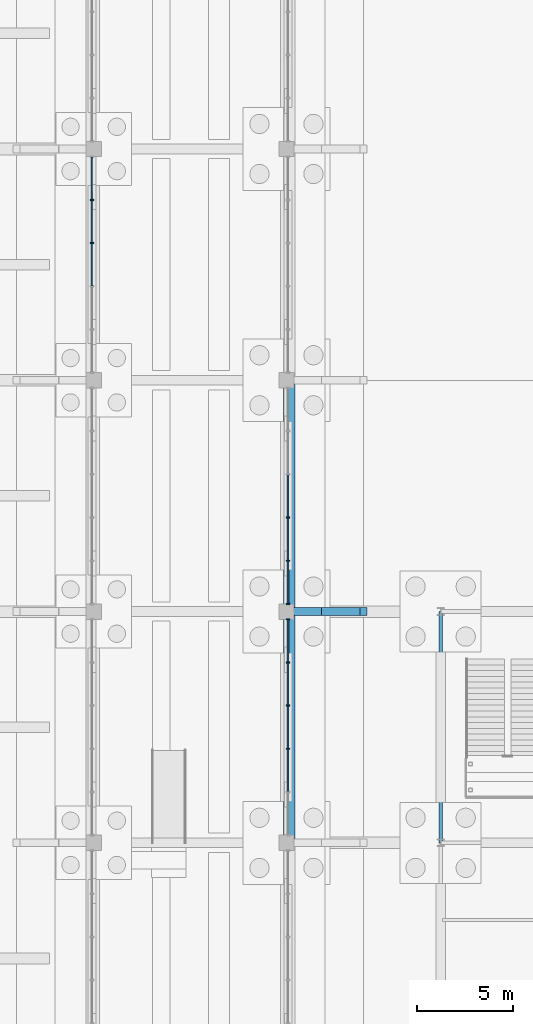
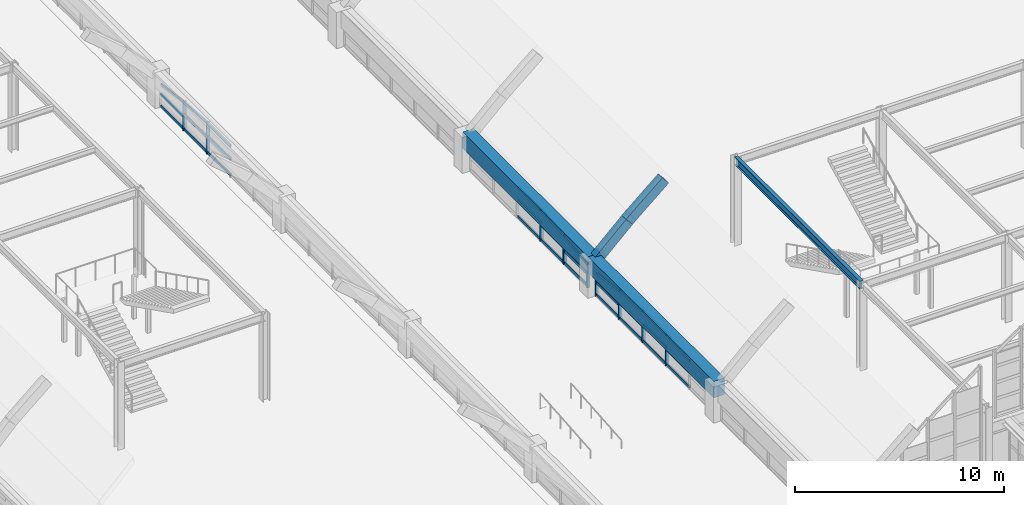
# One storey, part 44 of 129: 39 members, 5 beams, 3 elements without a shape of their own.
"""IFC4 building model written with IfcOpenShell, lengths in metres."""

from ifc_helpers import new_model, si_unit, direction, frame, origin, origin_2d, place, context, subcontext, project, spatial, rectangle, i_section, extrude, material, layer, layer_set, material_profile, profile_set, type_object, element, aggregate, save


model = new_model("IFC4")

# Units and contexts
model_context = context("Model", 3, precision=1e-05, world=origin(), true_north=direction((0.0, 1.0)))
body_context = subcontext(model_context, "Body", "Model", "MODEL_VIEW")
ifc_project = project(units=[si_unit("LENGTHUNIT", "METRE"), si_unit("AREAUNIT", "SQUARE_METRE"), si_unit("VOLUMEUNIT", "CUBIC_METRE"), si_unit("PLANEANGLEUNIT", "RADIAN"), si_unit("MASSUNIT", "GRAM", prefix="KILO")], contexts=[model_context])

# Site, building, storey
site_placement = place(None, origin())
site = spatial("IfcSite", under=ifc_project, at=site_placement, CompositionType="ELEMENT")
building_placement = place(site_placement, origin())
building = spatial("IfcBuilding", under=site, at=building_placement, Name="Sitalva Quay Ferry Terminal", CompositionType="ELEMENT")
storey_placement = place(building_placement, origin())
storey = spatial("IfcBuildingStorey", under=building, at=storey_placement, Name="L01", CompositionType="ELEMENT", Elevation=0.0)

# Beams
ifc_material_1 = material(Name="Concrete C40/50", Category="concrete")
ifc_material_profile_1 = material_profile(ifc_material_1, rectangle(XDim=0.39990234375, YDim=0.550048828125, at=origin_2d()), Name="RC400x550")
ifc_profile_set_1 = profile_set([ifc_material_profile_1], Name="Concrete C40/50")
beam_type_1 = type_object("IfcBeamType", Name="Beam_Arch_RC400x550", PredefinedType="BEAM", material=ifc_profile_set_1)
beam_1_placement = place(storey_placement, frame((42.0, 30.0, 1.6044921875), z_axis=(0.725680279623, 0.0, 0.688032071757), x_axis=(0.0, 1.0, 0.0)))
element("IfcBeam", 1, at=beam_1_placement, inside=storey, type_object=beam_type_1, Name="Vault V1 transverse arch rib 3.1", PredefinedType="BEAM", context=body_context, shape_type="SweptSolid", body=[
    extrude(rectangle(XDim=0.39990234375, YDim=0.550048828125, at=origin_2d()), origin(), (0.0, 0.0, 1.0), 2.756103515625),
])
beam_2_placement = place(storey_placement, frame((44.0, 30.0, 3.5107421875), z_axis=(0.760297282494, 0.0, 0.649575278342), x_axis=(0.0, 1.0, 0.0)))
element("IfcBeam", 2, at=beam_2_placement, inside=storey, type_object=beam_type_1, Name="Vault V1 transverse arch rib 3.2", PredefinedType="BEAM", context=body_context, shape_type="SweptSolid", body=[
    extrude(rectangle(XDim=0.39990234375, YDim=0.550048828125, at=origin_2d()), origin(), (0.0, 0.0, 1.0), 2.630615234375),
])
ifc_material_2 = material(Name="Concrete C40/50", Category="concrete")
ifc_material_profile_2 = material_profile(ifc_material_2, rectangle(XDim=0.60009765625, YDim=0.949951171875, at=origin_2d()), Name="RC600x950")
ifc_profile_set_2 = profile_set([ifc_material_profile_2], Name="Concrete C40/50")
beam_type_2 = type_object("IfcBeamType", Name="Beam_Edge_RC600x950", PredefinedType="BEAM", material=ifc_profile_set_2)
for number, where, z_axis, x_axis, name in (
    (3, (42.14990234375, 18.0, 1.625), (0.0, 1.0, 0.0), (-1.0, 0.0, 0.0), "Vault V1 longitudinal springing edge beam W bay 2"),
    (4, (42.14990234375, 30.0, 1.625), (0.0, 1.0, 0.0), (-1.0, 0.0, 0.0), "Vault V1 longitudinal springing edge beam W bay 3"),
):
    element("IfcBeam", number, at=place(storey_placement, frame(where, z_axis=z_axis, x_axis=x_axis)), inside=storey, type_object=beam_type_2, Name=name, PredefinedType="BEAM", context=body_context, shape_type="SweptSolid", body=[
        extrude(rectangle(XDim=0.60009765625, YDim=0.949951171875, at=origin_2d()), origin(), (0.0, 0.0, 1.0), 12.0),
    ])
ifc_material_3 = material(Name="Structural Steel S355JR", Category="steel")
ifc_material_profile_3 = material_profile(ifc_material_3, i_section(OverallWidth=0.194091796875, OverallDepth=0.468994140625, WebThickness=0.0126953125, FlangeThickness=0.0205078125, FilletRadius=0.013916015625, at=origin_2d()), Name="W460x106")
ifc_profile_set_3 = profile_set([ifc_material_profile_3], Name="Structural Steel S355JR")
beam_type_3 = type_object("IfcBeamType", Name="Girder_W460x106", PredefinedType="USERDEFINED", material=ifc_profile_set_3)
beam_3_placement = place(storey_placement, frame((50.0, 18.0, 4.885498046875), z_axis=(0.0, 1.0, 0.0), x_axis=(-1.0, 0.0, 0.0)))
element("IfcBeam", 5, at=beam_3_placement, inside=storey, type_object=beam_type_3, Name="L01 Primary Y girder 0135", ObjectType="GIRDER", PredefinedType="USERDEFINED", context=body_context, shape_type="SweptSolid", body=[
    extrude(i_section(OverallWidth=0.194091796875, OverallDepth=0.468994140625, WebThickness=0.0126953125, FlangeThickness=0.0205078125, FilletRadius=0.013916015625, at=origin_2d()), origin(), (0.0, 0.0, 1.0), 12.0),
])

# Curtain wall, members
ifc_material_4 = material(Name="Anodised Aluminium & Low-E Glazing", Category="aluminium")
ifc_layer = layer(ifc_material_4, 0.159912109375)
ifc_layer_set = layer_set([ifc_layer], Name="Anodised Aluminium & Low-E Glazing")
curtain_wall_type = type_object("IfcCurtainWallType", Name="CW_VaultArch_Glazed", PredefinedType="USERDEFINED", material=ifc_layer_set)
curtain_wall_1_placement = place(storey_placement, origin())
curtain_wall_1 = element("IfcCurtainWall", 6, at=curtain_wall_1_placement, inside=storey, type_object=curtain_wall_type, Name="V1-W shallow-arch base glazing (CW-L01-017)", ObjectType="CURTAIN_WALL", PredefinedType="USERDEFINED")
ifc_material_5 = material(Name="Anodised Aluminium 6063-T6", Category="aluminium")
ifc_material_profile_4 = material_profile(ifc_material_5, rectangle(XDim=0.070068359375, YDim=0.181884765625, at=origin_2d()), Name="ALU70x182")
ifc_profile_set_4 = profile_set([ifc_material_profile_4], Name="Anodised Aluminium 6063-T6")
member_type_1 = type_object("IfcMemberType", Name="Mullion_Alu_65x170", PredefinedType="MULLION", material=ifc_profile_set_4)
member_1_placement = place(storey_placement, frame((42.080078125, 22.8798828125, 0.0), z_axis=(0.0, 0.0, 1.0), x_axis=(0.0, 1.0, 0.0)))
member_1 = element("IfcMember", 7, at=member_1_placement, type_object=member_type_1, Name="CW-L01-017-M2", PredefinedType="MULLION", context=body_context, shape_type="SweptSolid", body=[
    extrude(rectangle(XDim=0.070068359375, YDim=0.181884765625, at=origin_2d()), origin(), (0.0, 0.0, 1.0), 1.86083984375),
])
member_2_placement = place(storey_placement, frame((42.080078125, 25.1201171875, 0.0), z_axis=(0.0, 0.0, 1.0), x_axis=(0.0, 1.0, 0.0)))
member_2 = element("IfcMember", 8, at=member_2_placement, type_object=member_type_1, Name="CW-L01-017-M3", PredefinedType="MULLION", context=body_context, shape_type="SweptSolid", body=[
    extrude(rectangle(XDim=0.070068359375, YDim=0.181884765625, at=origin_2d()), origin(), (0.0, 0.0, 1.0), 1.86083984375),
])
member_3_placement = place(storey_placement, frame((42.080078125, 27.360107421875, 0.0), z_axis=(0.0, 0.0, 1.0), x_axis=(0.0, 1.0, 0.0)))
member_3 = element("IfcMember", 9, at=member_3_placement, type_object=member_type_1, Name="CW-L01-017-M4", PredefinedType="MULLION", context=body_context, shape_type="SweptSolid", body=[
    extrude(rectangle(XDim=0.070068359375, YDim=0.181884765625, at=origin_2d()), origin(), (0.0, 0.0, 1.0), 1.707275390625),
])
member_4_placement = place(storey_placement, frame((42.080078125, 29.60009765625, 0.0), z_axis=(0.0, 0.0, 1.0), x_axis=(0.0, 1.0, 0.0)))
member_4 = element("IfcMember", 10, at=member_4_placement, type_object=member_type_1, Name="CW-L01-017-M5", PredefinedType="MULLION", context=body_context, shape_type="SweptSolid", body=[
    extrude(rectangle(XDim=0.070068359375, YDim=0.181884765625, at=origin_2d()), origin(), (0.0, 0.0, 1.0), 1.39990234375),
])

curtain_wall_2_placement = place(storey_placement, origin())
curtain_wall_2 = element("IfcCurtainWall", 11, at=curtain_wall_2_placement, inside=storey, type_object=curtain_wall_type, Name="V1-W shallow-arch base glazing (CW-L01-020)", ObjectType="CURTAIN_WALL", PredefinedType="USERDEFINED")
member_5_placement = place(storey_placement, frame((42.080078125, 30.39990234375, 0.0), z_axis=(0.0, 0.0, 1.0), x_axis=(0.0, 1.0, 0.0)))
member_5 = element("IfcMember", 12, at=member_5_placement, type_object=member_type_1, Name="CW-L01-020-M0", PredefinedType="MULLION", context=body_context, shape_type="SweptSolid", body=[
    extrude(rectangle(XDim=0.070068359375, YDim=0.181884765625, at=origin_2d()), origin(), (0.0, 0.0, 1.0), 1.39990234375),
])
member_6_placement = place(storey_placement, frame((42.080078125, 32.639892578125, 0.0), z_axis=(0.0, 0.0, 1.0), x_axis=(0.0, 1.0, 0.0)))
member_6 = element("IfcMember", 13, at=member_6_placement, type_object=member_type_1, Name="CW-L01-020-M1", PredefinedType="MULLION", context=body_context, shape_type="SweptSolid", body=[
    extrude(rectangle(XDim=0.070068359375, YDim=0.181884765625, at=origin_2d()), origin(), (0.0, 0.0, 1.0), 1.707275390625),
])
member_7_placement = place(storey_placement, frame((42.080078125, 34.8798828125, 0.0), z_axis=(0.0, 0.0, 1.0), x_axis=(0.0, 1.0, 0.0)))
member_7 = element("IfcMember", 14, at=member_7_placement, type_object=member_type_1, Name="CW-L01-020-M2", PredefinedType="MULLION", context=body_context, shape_type="SweptSolid", body=[
    extrude(rectangle(XDim=0.070068359375, YDim=0.181884765625, at=origin_2d()), origin(), (0.0, 0.0, 1.0), 1.86083984375),
])

curtain_wall_3_placement = place(storey_placement, origin())
curtain_wall_3 = element("IfcCurtainWall", 15, at=curtain_wall_3_placement, inside=storey, type_object=curtain_wall_type, Name="V2-E shallow-arch base glazing (CW-L01-022)", ObjectType="CURTAIN_WALL", PredefinedType="USERDEFINED")
member_8_placement = place(storey_placement, frame((31.919921875, 49.1201171875, 0.0), z_axis=(0.0, 0.0, 1.0), x_axis=(0.0, 1.0, 0.0)))
member_8 = element("IfcMember", 16, at=member_8_placement, type_object=member_type_1, Name="CW-L01-022-M3", PredefinedType="MULLION", context=body_context, shape_type="SweptSolid", body=[
    extrude(rectangle(XDim=0.070068359375, YDim=0.181884765625, at=origin_2d()), origin(), (0.0, 0.0, 1.0), 1.86083984375),
])
member_9_placement = place(storey_placement, frame((31.919921875, 51.360107421875, 0.0), z_axis=(0.0, 0.0, 1.0), x_axis=(0.0, 1.0, 0.0)))
member_9 = element("IfcMember", 17, at=member_9_placement, type_object=member_type_1, Name="CW-L01-022-M4", PredefinedType="MULLION", context=body_context, shape_type="SweptSolid", body=[
    extrude(rectangle(XDim=0.070068359375, YDim=0.181884765625, at=origin_2d()), origin(), (0.0, 0.0, 1.0), 1.707275390625),
])

# Member
ifc_material_6 = material(Name="Anodised Aluminium 6063-T6", Category="aluminium")
ifc_material_profile_5 = material_profile(ifc_material_6, rectangle(XDim=0.074951171875, YDim=0.155029296875, at=origin_2d()), Name="ALU75x155")
ifc_profile_set_5 = profile_set([ifc_material_profile_5], Name="Anodised Aluminium 6063-T6")
member_type_2 = type_object("IfcMemberType", Name="Transom_Alu_70x135", PredefinedType="MULLION", material=ifc_profile_set_5)
member_10_placement = place(storey_placement, frame((42.080078125, 20.675048828125, 0.077392578125), z_axis=(0.0, 1.0, 0.0), x_axis=(-1.0, 0.0, 0.0)))
member_10 = element("IfcMember", 18, at=member_10_placement, type_object=member_type_2, Name="CW-L01-017-T1-0", ObjectType="TRANSOM", PredefinedType="USERDEFINED", context=body_context, shape_type="SweptSolid", body=[
    extrude(rectangle(XDim=0.074951171875, YDim=0.155029296875, at=origin_2d()), origin(), (0.0, 0.0, 1.0), 2.169921875),
])

member_11_placement = place(storey_placement, frame((42.080078125, 20.675048828125, 0.93115234375), z_axis=(0.0, 1.0, 0.0), x_axis=(-1.0, 0.0, 0.0)))
member_11 = element("IfcMember", 19, at=member_11_placement, type_object=member_type_2, Name="CW-L01-017-T1-1", ObjectType="TRANSOM", PredefinedType="USERDEFINED", context=body_context, shape_type="SweptSolid", body=[
    extrude(rectangle(XDim=0.074951171875, YDim=0.155029296875, at=origin_2d()), origin(), (0.0, 0.0, 1.0), 2.169921875),
])

member_12_placement = place(storey_placement, frame((42.080078125, 20.675048828125, 1.629638671875), z_axis=(0.0, 0.997505200677, 0.070593021065), x_axis=(-1.0, 0.0, 0.0)))
member_12 = element("IfcMember", 20, at=member_12_placement, type_object=member_type_2, Name="CW-L01-017-T1-2", ObjectType="TRANSOM", PredefinedType="USERDEFINED", context=body_context, shape_type="SweptSolid", body=[
    extrude(rectangle(XDim=0.074951171875, YDim=0.155029296875, at=origin_2d()), origin(), (0.0, 0.0, 1.0), 2.17529296875),
])

member_13_placement = place(storey_placement, frame((42.080078125, 22.9150390625, 0.077392578125), z_axis=(0.0, 1.0, 0.0), x_axis=(-1.0, 0.0, 0.0)))
member_13 = element("IfcMember", 21, at=member_13_placement, type_object=member_type_2, Name="CW-L01-017-T2-0", ObjectType="TRANSOM", PredefinedType="USERDEFINED", context=body_context, shape_type="SweptSolid", body=[
    extrude(rectangle(XDim=0.074951171875, YDim=0.155029296875, at=origin_2d()), origin(), (0.0, 0.0, 1.0), 2.169921875),
])

member_14_placement = place(storey_placement, frame((42.080078125, 22.9150390625, 1.0078125), z_axis=(0.0, 1.0, 0.0), x_axis=(-1.0, 0.0, 0.0)))
member_14 = element("IfcMember", 22, at=member_14_placement, type_object=member_type_2, Name="CW-L01-017-T2-1", ObjectType="TRANSOM", PredefinedType="USERDEFINED", context=body_context, shape_type="SweptSolid", body=[
    extrude(rectangle(XDim=0.074951171875, YDim=0.155029296875, at=origin_2d()), origin(), (0.0, 0.0, 1.0), 2.169921875),
])

member_15_placement = place(storey_placement, frame((42.080078125, 22.9150390625, 1.783203125), z_axis=(0.0, 1.0, 0.0), x_axis=(-1.0, 0.0, 0.0)))
member_15 = element("IfcMember", 23, at=member_15_placement, type_object=member_type_2, Name="CW-L01-017-T2-2", ObjectType="TRANSOM", PredefinedType="USERDEFINED", context=body_context, shape_type="SweptSolid", body=[
    extrude(rectangle(XDim=0.074951171875, YDim=0.155029296875, at=origin_2d()), origin(), (0.0, 0.0, 1.0), 2.169921875),
])

member_16_placement = place(storey_placement, frame((42.080078125, 25.155029296875, 0.077392578125), z_axis=(0.0, 1.0, 0.0), x_axis=(-1.0, 0.0, 0.0)))
member_16 = element("IfcMember", 24, at=member_16_placement, type_object=member_type_2, Name="CW-L01-017-T3-0", ObjectType="TRANSOM", PredefinedType="USERDEFINED", context=body_context, shape_type="SweptSolid", body=[
    extrude(rectangle(XDim=0.074951171875, YDim=0.155029296875, at=origin_2d()), origin(), (0.0, 0.0, 1.0), 2.169921875),
])

member_17_placement = place(storey_placement, frame((42.080078125, 25.155029296875, 0.93115234375), z_axis=(0.0, 1.0, 0.0), x_axis=(-1.0, 0.0, 0.0)))
member_17 = element("IfcMember", 25, at=member_17_placement, type_object=member_type_2, Name="CW-L01-017-T3-1", ObjectType="TRANSOM", PredefinedType="USERDEFINED", context=body_context, shape_type="SweptSolid", body=[
    extrude(rectangle(XDim=0.074951171875, YDim=0.155029296875, at=origin_2d()), origin(), (0.0, 0.0, 1.0), 2.169921875),
])

member_18_placement = place(storey_placement, frame((42.080078125, 25.155029296875, 1.783203125), z_axis=(0.0, 0.997505200677, -0.070593021065), x_axis=(-1.0, 0.0, 0.0)))
member_18 = element("IfcMember", 26, at=member_18_placement, type_object=member_type_2, Name="CW-L01-017-T3-2", ObjectType="TRANSOM", PredefinedType="USERDEFINED", context=body_context, shape_type="SweptSolid", body=[
    extrude(rectangle(XDim=0.074951171875, YDim=0.155029296875, at=origin_2d()), origin(), (0.0, 0.0, 1.0), 2.17529296875),
])

member_19_placement = place(storey_placement, frame((42.080078125, 27.39501953125, 0.077392578125), z_axis=(0.0, 1.0, 0.0), x_axis=(-1.0, 0.0, 0.0)))
member_19 = element("IfcMember", 27, at=member_19_placement, type_object=member_type_2, Name="CW-L01-017-T4-0", ObjectType="TRANSOM", PredefinedType="USERDEFINED", context=body_context, shape_type="SweptSolid", body=[
    extrude(rectangle(XDim=0.074951171875, YDim=0.155029296875, at=origin_2d()), origin(), (0.0, 0.0, 1.0), 2.169921875),
])

member_20_placement = place(storey_placement, frame((42.080078125, 27.39501953125, 0.777587890625), z_axis=(0.0, 1.0, 0.0), x_axis=(-1.0, 0.0, 0.0)))
member_20 = element("IfcMember", 28, at=member_20_placement, type_object=member_type_2, Name="CW-L01-017-T4-1", ObjectType="TRANSOM", PredefinedType="USERDEFINED", context=body_context, shape_type="SweptSolid", body=[
    extrude(rectangle(XDim=0.074951171875, YDim=0.155029296875, at=origin_2d()), origin(), (0.0, 0.0, 1.0), 2.169921875),
])

member_21_placement = place(storey_placement, frame((42.080078125, 27.39501953125, 1.629638671875), z_axis=(0.0, 0.990131365095, -0.140142355681), x_axis=(-1.0, 0.0, 0.0)))
member_21 = element("IfcMember", 29, at=member_21_placement, type_object=member_type_2, Name="CW-L01-017-T4-2", ObjectType="TRANSOM", PredefinedType="USERDEFINED", context=body_context, shape_type="SweptSolid", body=[
    extrude(rectangle(XDim=0.074951171875, YDim=0.155029296875, at=origin_2d()), origin(), (0.0, 0.0, 1.0), 2.191650390625),
])

aggregate(curtain_wall_1, [member_1, member_2, member_3, member_4, member_10, member_11, member_12, member_13, member_14, member_15, member_16, member_17, member_18, member_19, member_20, member_21])

member_22_placement = place(storey_placement, frame((42.080078125, 30.43505859375, 0.077392578125), z_axis=(0.0, 1.0, 0.0), x_axis=(-1.0, 0.0, 0.0)))
member_22 = element("IfcMember", 30, at=member_22_placement, type_object=member_type_2, Name="CW-L01-020-T0-0", ObjectType="TRANSOM", PredefinedType="USERDEFINED", context=body_context, shape_type="SweptSolid", body=[
    extrude(rectangle(XDim=0.074951171875, YDim=0.155029296875, at=origin_2d()), origin(), (0.0, 0.0, 1.0), 2.169921875),
])

member_23_placement = place(storey_placement, frame((42.080078125, 30.43505859375, 0.777587890625), z_axis=(0.0, 1.0, 0.0), x_axis=(-1.0, 0.0, 0.0)))
member_23 = element("IfcMember", 31, at=member_23_placement, type_object=member_type_2, Name="CW-L01-020-T0-1", ObjectType="TRANSOM", PredefinedType="USERDEFINED", context=body_context, shape_type="SweptSolid", body=[
    extrude(rectangle(XDim=0.074951171875, YDim=0.155029296875, at=origin_2d()), origin(), (0.0, 0.0, 1.0), 2.169921875),
])

member_24_placement = place(storey_placement, frame((42.080078125, 30.43505859375, 1.322509765625), z_axis=(0.0, 0.990131365095, 0.140142355681), x_axis=(-1.0, 0.0, 0.0)))
member_24 = element("IfcMember", 32, at=member_24_placement, type_object=member_type_2, Name="CW-L01-020-T0-2", ObjectType="TRANSOM", PredefinedType="USERDEFINED", context=body_context, shape_type="SweptSolid", body=[
    extrude(rectangle(XDim=0.074951171875, YDim=0.155029296875, at=origin_2d()), origin(), (0.0, 0.0, 1.0), 2.191650390625),
])

member_25_placement = place(storey_placement, frame((42.080078125, 32.675048828125, 0.077392578125), z_axis=(0.0, 1.0, 0.0), x_axis=(-1.0, 0.0, 0.0)))
member_25 = element("IfcMember", 33, at=member_25_placement, type_object=member_type_2, Name="CW-L01-020-T1-0", ObjectType="TRANSOM", PredefinedType="USERDEFINED", context=body_context, shape_type="SweptSolid", body=[
    extrude(rectangle(XDim=0.074951171875, YDim=0.155029296875, at=origin_2d()), origin(), (0.0, 0.0, 1.0), 2.169921875),
])

member_26_placement = place(storey_placement, frame((42.080078125, 32.675048828125, 0.93115234375), z_axis=(0.0, 1.0, 0.0), x_axis=(-1.0, 0.0, 0.0)))
member_26 = element("IfcMember", 34, at=member_26_placement, type_object=member_type_2, Name="CW-L01-020-T1-1", ObjectType="TRANSOM", PredefinedType="USERDEFINED", context=body_context, shape_type="SweptSolid", body=[
    extrude(rectangle(XDim=0.074951171875, YDim=0.155029296875, at=origin_2d()), origin(), (0.0, 0.0, 1.0), 2.169921875),
])

member_27_placement = place(storey_placement, frame((42.080078125, 32.675048828125, 1.629638671875), z_axis=(0.0, 0.997505200677, 0.070593021065), x_axis=(-1.0, 0.0, 0.0)))
member_27 = element("IfcMember", 35, at=member_27_placement, type_object=member_type_2, Name="CW-L01-020-T1-2", ObjectType="TRANSOM", PredefinedType="USERDEFINED", context=body_context, shape_type="SweptSolid", body=[
    extrude(rectangle(XDim=0.074951171875, YDim=0.155029296875, at=origin_2d()), origin(), (0.0, 0.0, 1.0), 2.17529296875),
])

member_28_placement = place(storey_placement, frame((42.080078125, 34.9150390625, 0.077392578125), z_axis=(0.0, 1.0, 0.0), x_axis=(-1.0, 0.0, 0.0)))
member_28 = element("IfcMember", 36, at=member_28_placement, type_object=member_type_2, Name="CW-L01-020-T2-0", ObjectType="TRANSOM", PredefinedType="USERDEFINED", context=body_context, shape_type="SweptSolid", body=[
    extrude(rectangle(XDim=0.074951171875, YDim=0.155029296875, at=origin_2d()), origin(), (0.0, 0.0, 1.0), 2.169921875),
])

member_29_placement = place(storey_placement, frame((42.080078125, 34.9150390625, 1.0078125), z_axis=(0.0, 1.0, 0.0), x_axis=(-1.0, 0.0, 0.0)))
member_29 = element("IfcMember", 37, at=member_29_placement, type_object=member_type_2, Name="CW-L01-020-T2-1", ObjectType="TRANSOM", PredefinedType="USERDEFINED", context=body_context, shape_type="SweptSolid", body=[
    extrude(rectangle(XDim=0.074951171875, YDim=0.155029296875, at=origin_2d()), origin(), (0.0, 0.0, 1.0), 2.169921875),
])

member_30_placement = place(storey_placement, frame((42.080078125, 34.9150390625, 1.783203125), z_axis=(0.0, 1.0, 0.0), x_axis=(-1.0, 0.0, 0.0)))
member_30 = element("IfcMember", 38, at=member_30_placement, type_object=member_type_2, Name="CW-L01-020-T2-2", ObjectType="TRANSOM", PredefinedType="USERDEFINED", context=body_context, shape_type="SweptSolid", body=[
    extrude(rectangle(XDim=0.074951171875, YDim=0.155029296875, at=origin_2d()), origin(), (0.0, 0.0, 1.0), 2.169921875),
])

aggregate(curtain_wall_2, [member_5, member_6, member_7, member_22, member_23, member_24, member_25, member_26, member_27, member_28, member_29, member_30])

member_31_placement = place(storey_placement, frame((31.919921875, 46.9150390625, 0.077392578125), z_axis=(0.0, 1.0, 0.0), x_axis=(-1.0, 0.0, 0.0)))
member_31 = element("IfcMember", 39, at=member_31_placement, type_object=member_type_2, Name="CW-L01-022-T2-0", ObjectType="TRANSOM", PredefinedType="USERDEFINED", context=body_context, shape_type="SweptSolid", body=[
    extrude(rectangle(XDim=0.074951171875, YDim=0.155029296875, at=origin_2d()), origin(), (0.0, 0.0, 1.0), 2.169921875),
])

member_32_placement = place(storey_placement, frame((31.919921875, 46.9150390625, 1.0078125), z_axis=(0.0, 1.0, 0.0), x_axis=(-1.0, 0.0, 0.0)))
member_32 = element("IfcMember", 40, at=member_32_placement, type_object=member_type_2, Name="CW-L01-022-T2-1", ObjectType="TRANSOM", PredefinedType="USERDEFINED", context=body_context, shape_type="SweptSolid", body=[
    extrude(rectangle(XDim=0.074951171875, YDim=0.155029296875, at=origin_2d()), origin(), (0.0, 0.0, 1.0), 2.169921875),
])

member_33_placement = place(storey_placement, frame((31.919921875, 46.9150390625, 1.783203125), z_axis=(0.0, 1.0, 0.0), x_axis=(-1.0, 0.0, 0.0)))
member_33 = element("IfcMember", 41, at=member_33_placement, type_object=member_type_2, Name="CW-L01-022-T2-2", ObjectType="TRANSOM", PredefinedType="USERDEFINED", context=body_context, shape_type="SweptSolid", body=[
    extrude(rectangle(XDim=0.074951171875, YDim=0.155029296875, at=origin_2d()), origin(), (0.0, 0.0, 1.0), 2.169921875),
])

member_34_placement = place(storey_placement, frame((31.919921875, 49.155029296875, 0.077392578125), z_axis=(0.0, 1.0, 0.0), x_axis=(-1.0, 0.0, 0.0)))
member_34 = element("IfcMember", 42, at=member_34_placement, type_object=member_type_2, Name="CW-L01-022-T3-0", ObjectType="TRANSOM", PredefinedType="USERDEFINED", context=body_context, shape_type="SweptSolid", body=[
    extrude(rectangle(XDim=0.074951171875, YDim=0.155029296875, at=origin_2d()), origin(), (0.0, 0.0, 1.0), 2.169921875),
])

member_35_placement = place(storey_placement, frame((31.919921875, 49.155029296875, 0.93115234375), z_axis=(0.0, 1.0, 0.0), x_axis=(-1.0, 0.0, 0.0)))
member_35 = element("IfcMember", 43, at=member_35_placement, type_object=member_type_2, Name="CW-L01-022-T3-1", ObjectType="TRANSOM", PredefinedType="USERDEFINED", context=body_context, shape_type="SweptSolid", body=[
    extrude(rectangle(XDim=0.074951171875, YDim=0.155029296875, at=origin_2d()), origin(), (0.0, 0.0, 1.0), 2.169921875),
])

member_36_placement = place(storey_placement, frame((31.919921875, 49.155029296875, 1.783203125), z_axis=(0.0, 0.997505200677, -0.070593021065), x_axis=(-1.0, 0.0, 0.0)))
member_36 = element("IfcMember", 44, at=member_36_placement, type_object=member_type_2, Name="CW-L01-022-T3-2", ObjectType="TRANSOM", PredefinedType="USERDEFINED", context=body_context, shape_type="SweptSolid", body=[
    extrude(rectangle(XDim=0.074951171875, YDim=0.155029296875, at=origin_2d()), origin(), (0.0, 0.0, 1.0), 2.17529296875),
])

member_37_placement = place(storey_placement, frame((31.919921875, 51.39501953125, 0.077392578125), z_axis=(0.0, 1.0, 0.0), x_axis=(-1.0, 0.0, 0.0)))
member_37 = element("IfcMember", 45, at=member_37_placement, type_object=member_type_2, Name="CW-L01-022-T4-0", ObjectType="TRANSOM", PredefinedType="USERDEFINED", context=body_context, shape_type="SweptSolid", body=[
    extrude(rectangle(XDim=0.074951171875, YDim=0.155029296875, at=origin_2d()), origin(), (0.0, 0.0, 1.0), 2.169921875),
])

member_38_placement = place(storey_placement, frame((31.919921875, 51.39501953125, 0.777587890625), z_axis=(0.0, 1.0, 0.0), x_axis=(-1.0, 0.0, 0.0)))
member_38 = element("IfcMember", 46, at=member_38_placement, type_object=member_type_2, Name="CW-L01-022-T4-1", ObjectType="TRANSOM", PredefinedType="USERDEFINED", context=body_context, shape_type="SweptSolid", body=[
    extrude(rectangle(XDim=0.074951171875, YDim=0.155029296875, at=origin_2d()), origin(), (0.0, 0.0, 1.0), 2.169921875),
])

member_39_placement = place(storey_placement, frame((31.919921875, 51.39501953125, 1.629638671875), z_axis=(0.0, 0.990131365095, -0.140142355681), x_axis=(-1.0, 0.0, 0.0)))
member_39 = element("IfcMember", 47, at=member_39_placement, type_object=member_type_2, Name="CW-L01-022-T4-2", ObjectType="TRANSOM", PredefinedType="USERDEFINED", context=body_context, shape_type="SweptSolid", body=[
    extrude(rectangle(XDim=0.074951171875, YDim=0.155029296875, at=origin_2d()), origin(), (0.0, 0.0, 1.0), 2.191650390625),
])

aggregate(curtain_wall_3, [member_8, member_9, member_31, member_32, member_33, member_34, member_35, member_36, member_37, member_38, member_39])

save(model, "model.ifc")
